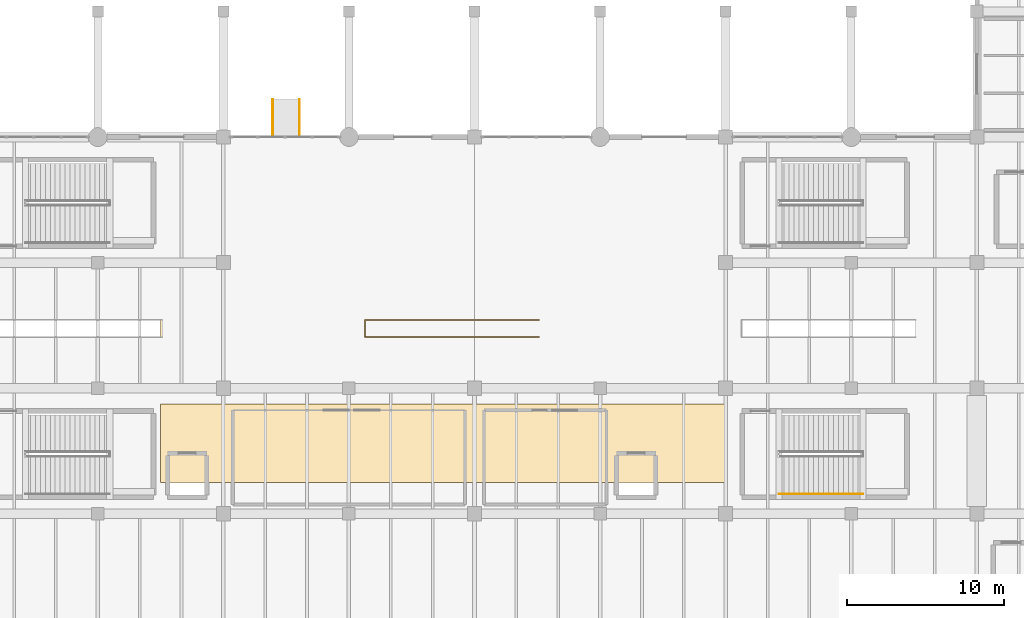
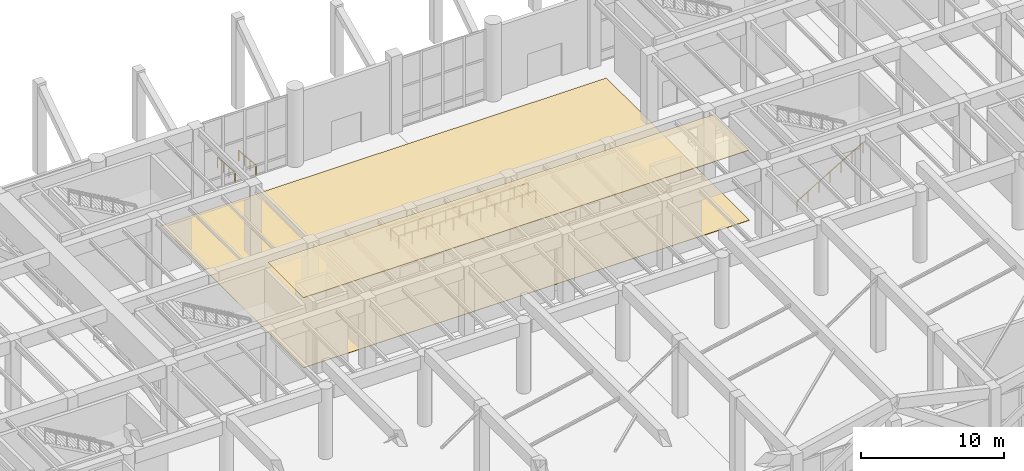
# One storey, part 47 of 51: 4 railings, 2 coverings.
"""IFC4 building model written with IfcOpenShell, lengths in metres."""

from ifc_helpers import new_model, si_unit, direction, frame, origin, origin_2d, place, context, subcontext, project, spatial, polyline, circle, outline, extrude, material, layer, layer_set, type_object, element, save


model = new_model("IFC4")

# Units and contexts
model_context = context("Model", 3, precision=1e-05, world=origin(), true_north=direction((0.0, 1.0)))
body_context = subcontext(model_context, "Body", "Model", "MODEL_VIEW")
ifc_project = project(units=[si_unit("LENGTHUNIT", "METRE"), si_unit("AREAUNIT", "SQUARE_METRE"), si_unit("VOLUMEUNIT", "CUBIC_METRE"), si_unit("PLANEANGLEUNIT", "RADIAN"), si_unit("MASSUNIT", "GRAM", prefix="KILO")], contexts=[model_context])

# Site, building, storey
site_placement = place(None, origin())
site = spatial("IfcSite", under=ifc_project, at=site_placement, CompositionType="ELEMENT")
building_placement = place(site_placement, origin())
building = spatial("IfcBuilding", under=site, at=building_placement, Name="Varnela Railside Interchange", CompositionType="ELEMENT")
storey_placement = place(building_placement, origin())
storey = spatial("IfcBuildingStorey", under=building, at=storey_placement, Name="L00", CompositionType="ELEMENT", Elevation=0.0)

# Railing
ifc_material_1 = material(Name="Glass laminated double", Category="glass")
railing_type_1 = type_object("IfcRailingType", Name="Concourse Atrium Balustrade BL-01", PredefinedType="BALUSTRADE", material=ifc_material_1)
railing_1_placement = place(storey_placement, frame((88.10009765625, 49.260009765625, 0.0)))
element("IfcRailing", 1, at=railing_1_placement, inside=storey, type_object=railing_type_1, Name="Escalator Well Balustrade ES5 (RL-0214)", PredefinedType="BALUSTRADE", context=body_context, shape_type="SweptSolid", body=[
    extrude(circle(Radius=0.02392578125, at=origin_2d()), frame((0.0, 0.0, 1.09619140625), z_axis=(-1.0, 0.0, 0.0), x_axis=(0.0, -1.0, 0.0)), (0.0, 0.0, 1.0), 11.080078125),
    extrude(circle(Radius=0.02392578125, at=origin_2d()), frame((-11.080078125, 0.0, 1.09619140625), z_axis=(0.0, 1.0, 0.0), x_axis=(-1.0, 0.0, 0.0)), (0.0, 0.0, 1.0), 1.080078125),
    extrude(circle(Radius=0.02392578125, at=origin_2d()), frame((-11.080078125, 1.080078125, 1.09619140625), z_axis=(1.0, 0.0, 0.0), x_axis=(0.0, 1.0, 0.0)), (0.0, 0.0, 1.0), 11.080078125),
    extrude(circle(Radius=0.02099609375, at=origin_2d()), origin(), (0.0, 0.0, 1.0), 1.072021484375),
    extrude(circle(Radius=0.02099609375, at=origin_2d()), frame((-1.10791015625, 0.0, 0.0)), (0.0, 0.0, 1.0), 1.072021484375),
    extrude(circle(Radius=0.02099609375, at=origin_2d()), frame((-2.216064453125, 0.0, 0.0)), (0.0, 0.0, 1.0), 1.072021484375),
    extrude(circle(Radius=0.02099609375, at=origin_2d()), frame((-3.323974609375, 0.0, 0.0)), (0.0, 0.0, 1.0), 1.072021484375),
    extrude(circle(Radius=0.02099609375, at=origin_2d()), frame((-4.43212890625, 0.0, 0.0)), (0.0, 0.0, 1.0), 1.072021484375),
    extrude(circle(Radius=0.02099609375, at=origin_2d()), frame((-5.5400390625, 0.0, 0.0)), (0.0, 0.0, 1.0), 1.072021484375),
    extrude(circle(Radius=0.02099609375, at=origin_2d()), frame((-6.64794921875, 0.0, 0.0)), (0.0, 0.0, 1.0), 1.072021484375),
    extrude(circle(Radius=0.02099609375, at=origin_2d()), frame((-7.756103515625, 0.0, 0.0)), (0.0, 0.0, 1.0), 1.072021484375),
    extrude(circle(Radius=0.02099609375, at=origin_2d()), frame((-8.864013671875, 0.0, 0.0)), (0.0, 0.0, 1.0), 1.072021484375),
    extrude(circle(Radius=0.02099609375, at=origin_2d()), frame((-9.97216796875, 0.0, 0.0)), (0.0, 0.0, 1.0), 1.072021484375),
    extrude(circle(Radius=0.02099609375, at=origin_2d()), frame((-11.080078125, 0.0, 0.0)), (0.0, 0.0, 1.0), 1.072021484375),
    extrude(circle(Radius=0.02099609375, at=origin_2d()), frame((-11.080078125, 1.080078125, 0.0)), (0.0, 0.0, 1.0), 1.072021484375),
    extrude(circle(Radius=0.02099609375, at=origin_2d()), frame((-9.97216796875, 1.080078125, 0.0)), (0.0, 0.0, 1.0), 1.072021484375),
    extrude(circle(Radius=0.02099609375, at=origin_2d()), frame((-8.864013671875, 1.080078125, 0.0)), (0.0, 0.0, 1.0), 1.072021484375),
    extrude(circle(Radius=0.02099609375, at=origin_2d()), frame((-7.756103515625, 1.080078125, 0.0)), (0.0, 0.0, 1.0), 1.072021484375),
    extrude(circle(Radius=0.02099609375, at=origin_2d()), frame((-6.64794921875, 1.080078125, 0.0)), (0.0, 0.0, 1.0), 1.072021484375),
    extrude(circle(Radius=0.02099609375, at=origin_2d()), frame((-5.5400390625, 1.080078125, 0.0)), (0.0, 0.0, 1.0), 1.072021484375),
    extrude(circle(Radius=0.02099609375, at=origin_2d()), frame((-4.43212890625, 1.080078125, 0.0)), (0.0, 0.0, 1.0), 1.072021484375),
    extrude(circle(Radius=0.02099609375, at=origin_2d()), frame((-3.323974609375, 1.080078125, 0.0)), (0.0, 0.0, 1.0), 1.072021484375),
    extrude(circle(Radius=0.02099609375, at=origin_2d()), frame((-2.216064453125, 1.080078125, 0.0)), (0.0, 0.0, 1.0), 1.072021484375),
    extrude(circle(Radius=0.02099609375, at=origin_2d()), frame((-1.10791015625, 1.080078125, 0.0)), (0.0, 0.0, 1.0), 1.072021484375),
    extrude(circle(Radius=0.02099609375, at=origin_2d()), frame((0.0, 1.080078125, 0.0)), (0.0, 0.0, 1.0), 1.072021484375),
])

# Coverings
ifc_material_2 = material(Name="Concrete C40 precast", Category="concrete")
ifc_layer_1 = layer(ifc_material_2, 0.034912109375)
ifc_layer_set_1 = layer_set([ifc_layer_1], Name="Concrete C40 precast")
covering_type_1 = type_object("IfcCoveringType", Name="Heavy-Duty Granite Terrazzo Flooring CV-FLR", PredefinedType="FLOORING", material=ifc_layer_set_1)
covering_1_placement = place(storey_placement, origin())
element("IfcCovering", 2, at=covering_1_placement, inside=storey, type_object=covering_type_1, Name="Heavy-Duty Granite Terrazzo Flooring CV-FLR", PredefinedType="FLOORING", context=body_context, shape_type="SweptSolid", body=[
    extrude(outline(polyline([(64.0, 40.0), (100.0, 40.0), (100.0, 60.0), (64.0, 60.0), (64.0, 40.0)])), origin(), (0.0, 0.0, 1.0), 0.034912109375),
])
ifc_material_3 = material(Name="Gypsum acoustic board")
ifc_layer_2 = layer(ifc_material_3, 0.044921875)
ifc_layer_set_2 = layer_set([ifc_layer_2], Name="Gypsum acoustic board")
covering_type_2 = type_object("IfcCoveringType", Name="Perforated Acoustic Baffle Ceiling CV-CLG", PredefinedType="CEILING", material=ifc_layer_set_2)
covering_2_placement = place(storey_placement, frame((0.0, 0.0, 5.97509765625)))
element("IfcCovering", 3, at=covering_2_placement, inside=storey, type_object=covering_type_2, Name="Perforated Acoustic Baffle Ceiling CV-CLG", PredefinedType="CEILING", context=body_context, shape_type="SweptSolid", body=[
    extrude(outline(polyline([(64.0, 40.0), (100.0, 40.0), (100.0, 45.0), (64.0, 45.0), (64.0, 40.0)])), origin(), (0.0, 0.0, 1.0), 0.044921875),
])

# Railings
ifc_material_4 = material(Name="Steel AR 350 (350 MPa)", Category="steel")
railing_type_2 = type_object("IfcRailingType", Name="Stair & Ramp Pitch Handrail HR-01", PredefinedType="HANDRAIL", material=ifc_material_4)
for number, where, name in (
    (4, (71.14990234375, 64.39990234375, -0.199951171875), "Forecourt Accessible Ramp Handrail (W) (RL-0245)"),
    (5, (72.85009765625, 64.39990234375, -0.199951171875), "Forecourt Accessible Ramp Handrail (E) (RL-0244)"),
):
    element("IfcRailing", number, at=place(storey_placement, frame(where)), inside=storey, type_object=railing_type_2, Name=name, PredefinedType="HANDRAIL", context=body_context, shape_type="SweptSolid", body=[
        extrude(circle(Radius=0.02392578125, at=origin_2d()), frame((0.0, 0.0, 0.89599609375), z_axis=(0.0, -0.996547156423, 0.083028700011), x_axis=(1.0, 0.0, 0.0)), (0.0, 0.0, 1.0), 2.408203125),
        extrude(circle(Radius=0.02099609375, at=origin_2d()), origin(), (0.0, 0.0, 1.0), 0.871826171875),
        extrude(circle(Radius=0.02099609375, at=origin_2d()), frame((0.0, -0.800048828125, 0.066650390625)), (0.0, 0.0, 1.0), 0.871826171875),
        extrude(circle(Radius=0.02099609375, at=origin_2d()), frame((0.0, -1.599853515625, 0.13330078125)), (0.0, 0.0, 1.0), 0.871826171875),
        extrude(circle(Radius=0.02099609375, at=origin_2d()), frame((0.0, -2.39990234375, 0.199951171875)), (0.0, 0.0, 1.0), 0.871826171875),
    ])
railing_type_3 = type_object("IfcRailingType", Name="Wall-Mounted Stair Handrail HR-02", PredefinedType="HANDRAIL", material=ifc_material_4)
railing_2_placement = place(storey_placement, frame((103.39990234375, 39.260009765625, 0.0)))
element("IfcRailing", 6, at=railing_2_placement, inside=storey, type_object=railing_type_3, Name="Wall Handrail ST-C2 Flight 1 (RL-0247)", PredefinedType="HANDRAIL", context=body_context, shape_type="SweptSolid", body=[
    extrude(circle(Radius=0.02392578125, at=origin_2d()), frame((0.0, 0.0, 0.89599609375), z_axis=(0.861940276329, 0.0, 0.507009822431), x_axis=(0.0, 1.0, 0.0)), (0.0, 0.0, 1.0), 6.212646484375),
    extrude(circle(Radius=0.02099609375, at=origin_2d()), origin(), (0.0, 0.0, 1.0), 0.871826171875),
    extrude(circle(Radius=0.02099609375, at=origin_2d()), frame((0.892578125, 0.0, 0.52490234375)), (0.0, 0.0, 1.0), 0.871826171875),
    extrude(circle(Radius=0.02099609375, at=origin_2d()), frame((1.784912109375, 0.0, 1.050048828125)), (0.0, 0.0, 1.0), 0.871826171875),
    extrude(circle(Radius=0.02099609375, at=origin_2d()), frame((2.677490234375, 0.0, 1.574951171875)), (0.0, 0.0, 1.0), 0.871826171875),
    extrude(circle(Radius=0.02099609375, at=origin_2d()), frame((3.570068359375, 0.0, 2.099853515625)), (0.0, 0.0, 1.0), 0.871826171875),
    extrude(circle(Radius=0.02099609375, at=origin_2d()), frame((4.46240234375, 0.0, 2.625)), (0.0, 0.0, 1.0), 0.871826171875),
    extrude(circle(Radius=0.02099609375, at=origin_2d()), frame((5.35498046875, 0.0, 3.14990234375)), (0.0, 0.0, 1.0), 0.871826171875),
])

save(model, "model.ifc")
